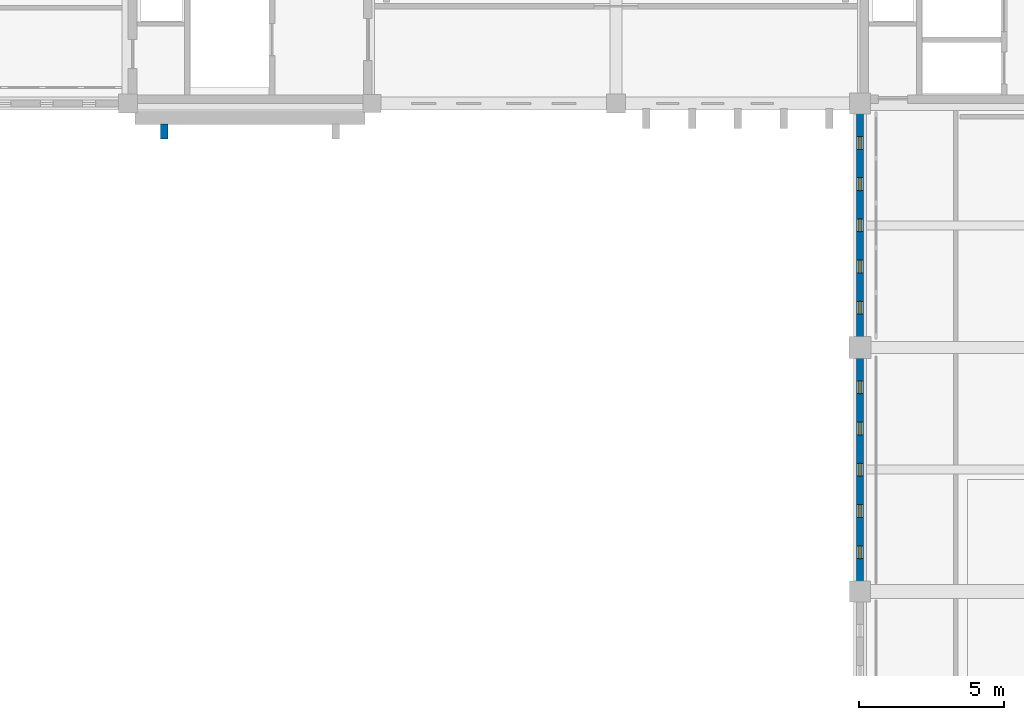
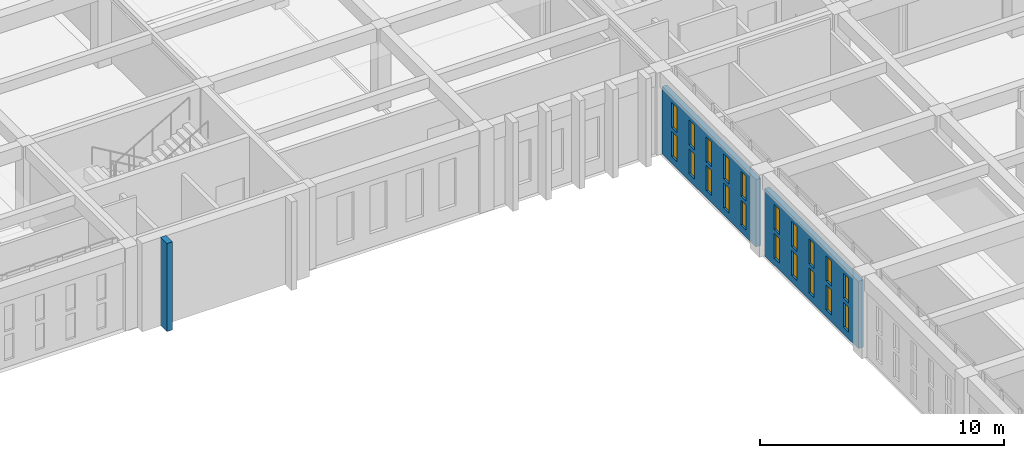
# One storey, part 170 of 192: 20 windows, 3 walls, 20 openings.
"""IFC4 building model written with IfcOpenShell, lengths in metres."""

from ifc_helpers import new_model, si_unit, direction, frame, frame_2d, origin, place, context, subcontext, project, spatial, rectangle, extrude, material, layer, layer_set, type_object, element, fill, save


model = new_model("IFC4")

# Units and contexts
model_context = context("Model", 3, precision=1e-05, world=origin(), true_north=direction((0.0, 1.0)))
body_context = subcontext(model_context, "Body", "Model", "MODEL_VIEW")
ifc_project = project(units=[si_unit("LENGTHUNIT", "METRE"), si_unit("AREAUNIT", "SQUARE_METRE"), si_unit("VOLUMEUNIT", "CUBIC_METRE"), si_unit("PLANEANGLEUNIT", "RADIAN"), si_unit("MASSUNIT", "GRAM", prefix="KILO")], contexts=[model_context])

# Site, building, storey
site_placement = place(None, origin())
site = spatial("IfcSite", under=ifc_project, at=site_placement, CompositionType="ELEMENT")
building_placement = place(site_placement, origin())
building = spatial("IfcBuilding", under=site, at=building_placement, Name="Kveldsbrygga Polytechnic", CompositionType="ELEMENT")
storey_placement = place(building_placement, frame((0.0, 0.0, 5.43994140625)))
storey = spatial("IfcBuildingStorey", under=building, at=storey_placement, Name="L01", CompositionType="ELEMENT", Elevation=5.43994140625)

# Wall
ifc_material_1 = material(Name="Fired clay brick masonry M10", Category="masonry")
ifc_layer_1 = layer(ifc_material_1, 0.260009765625)
ifc_layer_set_1 = layer_set([ifc_layer_1], Name="Fired clay brick masonry M10")
wall_type_1 = type_object("IfcWallType", Name="EW-BUTT-260", PredefinedType="SOLIDWALL", material=ifc_layer_set_1)
wall_1_placement = place(storey_placement, frame((102.050048828125, 83.300048828125, 0.0), z_axis=(0.0, 0.0, 1.0), x_axis=(0.0, -1.0, 0.0)))
element("IfcWall", 1, at=wall_1_placement, inside=storey, type_object=wall_type_1, Name="Gothic Brick Buttress Pier BCLAS-L01-X-12-10-1", PredefinedType="SOLIDWALL", context=body_context, shape_type="SweptSolid", body=[
    extrude(rectangle(XDim=0.52001953125, YDim=0.260009765625, at=frame_2d((0.260009765625, 0.0))), origin(), (0.0, 0.0, 1.0), 4.420166015625),
])

# Wall, openings, windows
ifc_layer_2 = layer(ifc_material_1, 0.239990234375)
ifc_layer_set_2 = layer_set([ifc_layer_2], Name="Fired clay brick masonry M10")
wall_type_2 = type_object("IfcWallType", Name="EW-SCRN-240", PredefinedType="SOLIDWALL", material=ifc_layer_set_2)
wall_2_placement = place(storey_placement, frame((126.0, 67.544921875, 0.0), z_axis=(0.0, 0.0, 1.0), x_axis=(0.0, 1.0, 0.0)))
wall_2 = element("IfcWall", 2, at=wall_2_placement, inside=storey, type_object=wall_type_2, Name="Perforated Brick Corridor Screen Wall SCRW-L01-Y-15-08", PredefinedType="SOLIDWALL", context=body_context, shape_type="SweptSolid", body=[
    extrude(rectangle(XDim=7.695068359375, YDim=0.239990234375, at=frame_2d((3.84765625, 0.0))), origin(), (0.0, 0.0, 1.0), 3.3701171875),
])
opening_1_placement = place(wall_2_placement, frame((0.78955078125, 0.0, 0.35009765625)))
opening_1 = element("IfcOpeningElement", 3, at=opening_1_placement, cuts=wall_2, Name="Opening W-48", PredefinedType="OPENING", context=body_context, shape_type="SweptSolid", body=[
    extrude(rectangle(XDim=0.43994140625, YDim=1.25, at=frame_2d((0.219970703125, 0.625))), frame((0.0, 0.1298828125, 0.0), z_axis=(0.0, -1.0, 0.0), x_axis=(1.0, 0.0, 0.0)), (0.0, 0.0, 1.0), 0.260009765625),
])
opening_2_placement = place(wall_2_placement, frame((2.20849609375, 0.0, 0.35009765625)))
opening_2 = element("IfcOpeningElement", 4, at=opening_2_placement, cuts=wall_2, Name="Opening W-48", PredefinedType="OPENING", context=body_context, shape_type="SweptSolid", body=[
    extrude(rectangle(XDim=0.43994140625, YDim=1.25, at=frame_2d((0.219970703125, 0.625))), frame((0.0, 0.1298828125, 0.0), z_axis=(0.0, -1.0, 0.0), x_axis=(1.0, 0.0, 0.0)), (0.0, 0.0, 1.0), 0.260009765625),
])
opening_3_placement = place(wall_2_placement, frame((3.62744140625, 0.0, 0.35009765625)))
opening_3 = element("IfcOpeningElement", 5, at=opening_3_placement, cuts=wall_2, Name="Opening W-48", PredefinedType="OPENING", context=body_context, shape_type="SweptSolid", body=[
    extrude(rectangle(XDim=0.43994140625, YDim=1.25, at=frame_2d((0.219970703125, 0.625))), frame((0.0, 0.1298828125, 0.0), z_axis=(0.0, -1.0, 0.0), x_axis=(1.0, 0.0, 0.0)), (0.0, 0.0, 1.0), 0.260009765625),
])
opening_4_placement = place(wall_2_placement, frame((5.04638671875, 0.0, 0.35009765625)))
opening_4 = element("IfcOpeningElement", 6, at=opening_4_placement, cuts=wall_2, Name="Opening W-48", PredefinedType="OPENING", context=body_context, shape_type="SweptSolid", body=[
    extrude(rectangle(XDim=0.43994140625, YDim=1.25, at=frame_2d((0.219970703125, 0.625))), frame((0.0, 0.1298828125, 0.0), z_axis=(0.0, -1.0, 0.0), x_axis=(1.0, 0.0, 0.0)), (0.0, 0.0, 1.0), 0.260009765625),
])
opening_5_placement = place(wall_2_placement, frame((6.465576171875, 0.0, 0.35009765625)))
opening_5 = element("IfcOpeningElement", 7, at=opening_5_placement, cuts=wall_2, Name="Opening W-48", PredefinedType="OPENING", context=body_context, shape_type="SweptSolid", body=[
    extrude(rectangle(XDim=0.43994140625, YDim=1.25, at=frame_2d((0.219970703125, 0.625))), frame((0.0, 0.1298828125, 0.0), z_axis=(0.0, -1.0, 0.0), x_axis=(1.0, 0.0, 0.0)), (0.0, 0.0, 1.0), 0.260009765625),
])
opening_6_placement = place(wall_2_placement, frame((0.78955078125, 0.0, 1.800048828125)))
opening_6 = element("IfcOpeningElement", 8, at=opening_6_placement, cuts=wall_2, Name="Opening W-48", PredefinedType="OPENING", context=body_context, shape_type="SweptSolid", body=[
    extrude(rectangle(XDim=0.43994140625, YDim=1.25, at=frame_2d((0.219970703125, 0.625))), frame((0.0, 0.1298828125, 0.0), z_axis=(0.0, -1.0, 0.0), x_axis=(1.0, 0.0, 0.0)), (0.0, 0.0, 1.0), 0.260009765625),
])
opening_7_placement = place(wall_2_placement, frame((2.20849609375, 0.0, 1.800048828125)))
opening_7 = element("IfcOpeningElement", 9, at=opening_7_placement, cuts=wall_2, Name="Opening W-48", PredefinedType="OPENING", context=body_context, shape_type="SweptSolid", body=[
    extrude(rectangle(XDim=0.43994140625, YDim=1.25, at=frame_2d((0.219970703125, 0.625))), frame((0.0, 0.1298828125, 0.0), z_axis=(0.0, -1.0, 0.0), x_axis=(1.0, 0.0, 0.0)), (0.0, 0.0, 1.0), 0.260009765625),
])
opening_8_placement = place(wall_2_placement, frame((3.62744140625, 0.0, 1.800048828125)))
opening_8 = element("IfcOpeningElement", 10, at=opening_8_placement, cuts=wall_2, Name="Opening W-48", PredefinedType="OPENING", context=body_context, shape_type="SweptSolid", body=[
    extrude(rectangle(XDim=0.43994140625, YDim=1.25, at=frame_2d((0.219970703125, 0.625))), frame((0.0, 0.1298828125, 0.0), z_axis=(0.0, -1.0, 0.0), x_axis=(1.0, 0.0, 0.0)), (0.0, 0.0, 1.0), 0.260009765625),
])
opening_9_placement = place(wall_2_placement, frame((5.04638671875, 0.0, 1.800048828125)))
opening_9 = element("IfcOpeningElement", 11, at=opening_9_placement, cuts=wall_2, Name="Opening W-48", PredefinedType="OPENING", context=body_context, shape_type="SweptSolid", body=[
    extrude(rectangle(XDim=0.43994140625, YDim=1.25, at=frame_2d((0.219970703125, 0.625))), frame((0.0, 0.1298828125, 0.0), z_axis=(0.0, -1.0, 0.0), x_axis=(1.0, 0.0, 0.0)), (0.0, 0.0, 1.0), 0.260009765625),
])
opening_10_placement = place(wall_2_placement, frame((6.465576171875, 0.0, 1.800048828125)))
opening_10 = element("IfcOpeningElement", 12, at=opening_10_placement, cuts=wall_2, Name="Opening W-48", PredefinedType="OPENING", context=body_context, shape_type="SweptSolid", body=[
    extrude(rectangle(XDim=0.43994140625, YDim=1.25, at=frame_2d((0.219970703125, 0.625))), frame((0.0, 0.1298828125, 0.0), z_axis=(0.0, -1.0, 0.0), x_axis=(1.0, 0.0, 0.0)), (0.0, 0.0, 1.0), 0.260009765625),
])
ifc_material_2 = material(Name="Insulated triple low-E glass", Category="glass")
window_type = type_object("IfcWindowType", Name="WN-SCRN-044x125", PartitioningType="SINGLE_PANEL", PredefinedType="WINDOW", material=ifc_material_2)
window_1_placement = place(opening_1_placement, origin())
window_1 = element("IfcWindow", 13, at=window_1_placement, inside=storey, type_object=window_type, Name="Perforated Screen Aperture L01-Y-15-08-1", OverallHeight=1.25, OverallWidth=0.43994140625, PartitioningType="SINGLE_PANEL", PredefinedType="WINDOW", context=body_context, shape_type="SweptSolid", body=[
    extrude(rectangle(XDim=0.43994140625, YDim=1.25, at=frame_2d((0.219970703125, 0.625))), frame((0.0, 0.030029296875, 0.0), z_axis=(0.0, -1.0, 0.0), x_axis=(1.0, 0.0, 0.0)), (0.0, 0.0, 1.0), 0.06005859375),
])
fill(opening_1, window_1)
window_2_placement = place(opening_2_placement, origin())
window_2 = element("IfcWindow", 14, at=window_2_placement, inside=storey, type_object=window_type, Name="Perforated Screen Aperture L01-Y-15-08-2", OverallHeight=1.25, OverallWidth=0.43994140625, PartitioningType="SINGLE_PANEL", PredefinedType="WINDOW", context=body_context, shape_type="SweptSolid", body=[
    extrude(rectangle(XDim=0.43994140625, YDim=1.25, at=frame_2d((0.219970703125, 0.625))), frame((0.0, 0.030029296875, 0.0), z_axis=(0.0, -1.0, 0.0), x_axis=(1.0, 0.0, 0.0)), (0.0, 0.0, 1.0), 0.06005859375),
])
fill(opening_2, window_2)
window_3_placement = place(opening_3_placement, origin())
window_3 = element("IfcWindow", 15, at=window_3_placement, inside=storey, type_object=window_type, Name="Perforated Screen Aperture L01-Y-15-08-3", OverallHeight=1.25, OverallWidth=0.43994140625, PartitioningType="SINGLE_PANEL", PredefinedType="WINDOW", context=body_context, shape_type="SweptSolid", body=[
    extrude(rectangle(XDim=0.43994140625, YDim=1.25, at=frame_2d((0.219970703125, 0.625))), frame((0.0, 0.030029296875, 0.0), z_axis=(0.0, -1.0, 0.0), x_axis=(1.0, 0.0, 0.0)), (0.0, 0.0, 1.0), 0.06005859375),
])
fill(opening_3, window_3)
window_4_placement = place(opening_4_placement, origin())
window_4 = element("IfcWindow", 16, at=window_4_placement, inside=storey, type_object=window_type, Name="Perforated Screen Aperture L01-Y-15-08-4", OverallHeight=1.25, OverallWidth=0.43994140625, PartitioningType="SINGLE_PANEL", PredefinedType="WINDOW", context=body_context, shape_type="SweptSolid", body=[
    extrude(rectangle(XDim=0.43994140625, YDim=1.25, at=frame_2d((0.219970703125, 0.625))), frame((0.0, 0.030029296875, 0.0), z_axis=(0.0, -1.0, 0.0), x_axis=(1.0, 0.0, 0.0)), (0.0, 0.0, 1.0), 0.06005859375),
])
fill(opening_4, window_4)
window_5_placement = place(opening_5_placement, origin())
window_5 = element("IfcWindow", 17, at=window_5_placement, inside=storey, type_object=window_type, Name="Perforated Screen Aperture L01-Y-15-08-5", OverallHeight=1.25, OverallWidth=0.43994140625, PartitioningType="SINGLE_PANEL", PredefinedType="WINDOW", context=body_context, shape_type="SweptSolid", body=[
    extrude(rectangle(XDim=0.43994140625, YDim=1.25, at=frame_2d((0.219970703125, 0.625))), frame((0.0, 0.030029296875, 0.0), z_axis=(0.0, -1.0, 0.0), x_axis=(1.0, 0.0, 0.0)), (0.0, 0.0, 1.0), 0.06005859375),
])
fill(opening_5, window_5)
window_6_placement = place(opening_6_placement, origin())
window_6 = element("IfcWindow", 18, at=window_6_placement, inside=storey, type_object=window_type, Name="Perforated Screen Aperture L01-Y-15-08-6", OverallHeight=1.25, OverallWidth=0.43994140625, PartitioningType="SINGLE_PANEL", PredefinedType="WINDOW", context=body_context, shape_type="SweptSolid", body=[
    extrude(rectangle(XDim=0.43994140625, YDim=1.25, at=frame_2d((0.219970703125, 0.625))), frame((0.0, 0.030029296875, 0.0), z_axis=(0.0, -1.0, 0.0), x_axis=(1.0, 0.0, 0.0)), (0.0, 0.0, 1.0), 0.06005859375),
])
fill(opening_6, window_6)
window_7_placement = place(opening_7_placement, origin())
window_7 = element("IfcWindow", 19, at=window_7_placement, inside=storey, type_object=window_type, Name="Perforated Screen Aperture L01-Y-15-08-7", OverallHeight=1.25, OverallWidth=0.43994140625, PartitioningType="SINGLE_PANEL", PredefinedType="WINDOW", context=body_context, shape_type="SweptSolid", body=[
    extrude(rectangle(XDim=0.43994140625, YDim=1.25, at=frame_2d((0.219970703125, 0.625))), frame((0.0, 0.030029296875, 0.0), z_axis=(0.0, -1.0, 0.0), x_axis=(1.0, 0.0, 0.0)), (0.0, 0.0, 1.0), 0.06005859375),
])
fill(opening_7, window_7)
window_8_placement = place(opening_8_placement, origin())
window_8 = element("IfcWindow", 20, at=window_8_placement, inside=storey, type_object=window_type, Name="Perforated Screen Aperture L01-Y-15-08-8", OverallHeight=1.25, OverallWidth=0.43994140625, PartitioningType="SINGLE_PANEL", PredefinedType="WINDOW", context=body_context, shape_type="SweptSolid", body=[
    extrude(rectangle(XDim=0.43994140625, YDim=1.25, at=frame_2d((0.219970703125, 0.625))), frame((0.0, 0.030029296875, 0.0), z_axis=(0.0, -1.0, 0.0), x_axis=(1.0, 0.0, 0.0)), (0.0, 0.0, 1.0), 0.06005859375),
])
fill(opening_8, window_8)
window_9_placement = place(opening_9_placement, origin())
window_9 = element("IfcWindow", 21, at=window_9_placement, inside=storey, type_object=window_type, Name="Perforated Screen Aperture L01-Y-15-08-9", OverallHeight=1.25, OverallWidth=0.43994140625, PartitioningType="SINGLE_PANEL", PredefinedType="WINDOW", context=body_context, shape_type="SweptSolid", body=[
    extrude(rectangle(XDim=0.43994140625, YDim=1.25, at=frame_2d((0.219970703125, 0.625))), frame((0.0, 0.030029296875, 0.0), z_axis=(0.0, -1.0, 0.0), x_axis=(1.0, 0.0, 0.0)), (0.0, 0.0, 1.0), 0.06005859375),
])
fill(opening_9, window_9)
window_10_placement = place(opening_10_placement, origin())
window_10 = element("IfcWindow", 22, at=window_10_placement, inside=storey, type_object=window_type, Name="Perforated Screen Aperture L01-Y-15-08-10", OverallHeight=1.25, OverallWidth=0.43994140625, PartitioningType="SINGLE_PANEL", PredefinedType="WINDOW", context=body_context, shape_type="SweptSolid", body=[
    extrude(rectangle(XDim=0.43994140625, YDim=1.25, at=frame_2d((0.219970703125, 0.625))), frame((0.0, 0.030029296875, 0.0), z_axis=(0.0, -1.0, 0.0), x_axis=(1.0, 0.0, 0.0)), (0.0, 0.0, 1.0), 0.06005859375),
])
fill(opening_10, window_10)

wall_3_placement = place(storey_placement, frame((126.0, 75.9599609375, 0.0), z_axis=(0.0, 0.0, 1.0), x_axis=(0.0, 1.0, 0.0)))
wall_3 = element("IfcWall", 23, at=wall_3_placement, inside=storey, type_object=wall_type_2, Name="Perforated Brick Corridor Screen Wall SCRW-L01-Y-15-09", PredefinedType="SOLIDWALL", context=body_context, shape_type="SweptSolid", body=[
    extrude(rectangle(XDim=7.695068359375, YDim=0.239990234375, at=frame_2d((3.84765625, 0.0))), origin(), (0.0, 0.0, 1.0), 3.3701171875),
])
opening_11_placement = place(wall_3_placement, frame((0.78955078125, 0.0, 0.35009765625)))
opening_11 = element("IfcOpeningElement", 24, at=opening_11_placement, cuts=wall_3, Name="Opening W-48", PredefinedType="OPENING", context=body_context, shape_type="SweptSolid", body=[
    extrude(rectangle(XDim=0.43994140625, YDim=1.25, at=frame_2d((0.219970703125, 0.625))), frame((0.0, 0.1298828125, 0.0), z_axis=(0.0, -1.0, 0.0), x_axis=(1.0, 0.0, 0.0)), (0.0, 0.0, 1.0), 0.260009765625),
])
opening_12_placement = place(wall_3_placement, frame((2.20849609375, 0.0, 0.35009765625)))
opening_12 = element("IfcOpeningElement", 25, at=opening_12_placement, cuts=wall_3, Name="Opening W-48", PredefinedType="OPENING", context=body_context, shape_type="SweptSolid", body=[
    extrude(rectangle(XDim=0.43994140625, YDim=1.25, at=frame_2d((0.219970703125, 0.625))), frame((0.0, 0.1298828125, 0.0), z_axis=(0.0, -1.0, 0.0), x_axis=(1.0, 0.0, 0.0)), (0.0, 0.0, 1.0), 0.260009765625),
])
opening_13_placement = place(wall_3_placement, frame((3.62744140625, 0.0, 0.35009765625)))
opening_13 = element("IfcOpeningElement", 26, at=opening_13_placement, cuts=wall_3, Name="Opening W-48", PredefinedType="OPENING", context=body_context, shape_type="SweptSolid", body=[
    extrude(rectangle(XDim=0.43994140625, YDim=1.25, at=frame_2d((0.219970703125, 0.625))), frame((0.0, 0.1298828125, 0.0), z_axis=(0.0, -1.0, 0.0), x_axis=(1.0, 0.0, 0.0)), (0.0, 0.0, 1.0), 0.260009765625),
])
opening_14_placement = place(wall_3_placement, frame((5.04638671875, 0.0, 0.35009765625)))
opening_14 = element("IfcOpeningElement", 27, at=opening_14_placement, cuts=wall_3, Name="Opening W-48", PredefinedType="OPENING", context=body_context, shape_type="SweptSolid", body=[
    extrude(rectangle(XDim=0.43994140625, YDim=1.25, at=frame_2d((0.219970703125, 0.625))), frame((0.0, 0.1298828125, 0.0), z_axis=(0.0, -1.0, 0.0), x_axis=(1.0, 0.0, 0.0)), (0.0, 0.0, 1.0), 0.260009765625),
])
opening_15_placement = place(wall_3_placement, frame((6.465576171875, 0.0, 0.35009765625)))
opening_15 = element("IfcOpeningElement", 28, at=opening_15_placement, cuts=wall_3, Name="Opening W-48", PredefinedType="OPENING", context=body_context, shape_type="SweptSolid", body=[
    extrude(rectangle(XDim=0.43994140625, YDim=1.25, at=frame_2d((0.219970703125, 0.625))), frame((0.0, 0.1298828125, 0.0), z_axis=(0.0, -1.0, 0.0), x_axis=(1.0, 0.0, 0.0)), (0.0, 0.0, 1.0), 0.260009765625),
])
opening_16_placement = place(wall_3_placement, frame((0.78955078125, 0.0, 1.800048828125)))
opening_16 = element("IfcOpeningElement", 29, at=opening_16_placement, cuts=wall_3, Name="Opening W-48", PredefinedType="OPENING", context=body_context, shape_type="SweptSolid", body=[
    extrude(rectangle(XDim=0.43994140625, YDim=1.25, at=frame_2d((0.219970703125, 0.625))), frame((0.0, 0.1298828125, 0.0), z_axis=(0.0, -1.0, 0.0), x_axis=(1.0, 0.0, 0.0)), (0.0, 0.0, 1.0), 0.260009765625),
])
opening_17_placement = place(wall_3_placement, frame((2.20849609375, 0.0, 1.800048828125)))
opening_17 = element("IfcOpeningElement", 30, at=opening_17_placement, cuts=wall_3, Name="Opening W-48", PredefinedType="OPENING", context=body_context, shape_type="SweptSolid", body=[
    extrude(rectangle(XDim=0.43994140625, YDim=1.25, at=frame_2d((0.219970703125, 0.625))), frame((0.0, 0.1298828125, 0.0), z_axis=(0.0, -1.0, 0.0), x_axis=(1.0, 0.0, 0.0)), (0.0, 0.0, 1.0), 0.260009765625),
])
opening_18_placement = place(wall_3_placement, frame((3.62744140625, 0.0, 1.800048828125)))
opening_18 = element("IfcOpeningElement", 31, at=opening_18_placement, cuts=wall_3, Name="Opening W-48", PredefinedType="OPENING", context=body_context, shape_type="SweptSolid", body=[
    extrude(rectangle(XDim=0.43994140625, YDim=1.25, at=frame_2d((0.219970703125, 0.625))), frame((0.0, 0.1298828125, 0.0), z_axis=(0.0, -1.0, 0.0), x_axis=(1.0, 0.0, 0.0)), (0.0, 0.0, 1.0), 0.260009765625),
])
opening_19_placement = place(wall_3_placement, frame((5.04638671875, 0.0, 1.800048828125)))
opening_19 = element("IfcOpeningElement", 32, at=opening_19_placement, cuts=wall_3, Name="Opening W-48", PredefinedType="OPENING", context=body_context, shape_type="SweptSolid", body=[
    extrude(rectangle(XDim=0.43994140625, YDim=1.25, at=frame_2d((0.219970703125, 0.625))), frame((0.0, 0.1298828125, 0.0), z_axis=(0.0, -1.0, 0.0), x_axis=(1.0, 0.0, 0.0)), (0.0, 0.0, 1.0), 0.260009765625),
])
opening_20_placement = place(wall_3_placement, frame((6.465576171875, 0.0, 1.800048828125)))
opening_20 = element("IfcOpeningElement", 33, at=opening_20_placement, cuts=wall_3, Name="Opening W-48", PredefinedType="OPENING", context=body_context, shape_type="SweptSolid", body=[
    extrude(rectangle(XDim=0.43994140625, YDim=1.25, at=frame_2d((0.219970703125, 0.625))), frame((0.0, 0.1298828125, 0.0), z_axis=(0.0, -1.0, 0.0), x_axis=(1.0, 0.0, 0.0)), (0.0, 0.0, 1.0), 0.260009765625),
])
window_11_placement = place(opening_11_placement, origin())
window_11 = element("IfcWindow", 34, at=window_11_placement, inside=storey, type_object=window_type, Name="Perforated Screen Aperture L01-Y-15-09-1", OverallHeight=1.25, OverallWidth=0.43994140625, PartitioningType="SINGLE_PANEL", PredefinedType="WINDOW", context=body_context, shape_type="SweptSolid", body=[
    extrude(rectangle(XDim=0.43994140625, YDim=1.25, at=frame_2d((0.219970703125, 0.625))), frame((0.0, 0.030029296875, 0.0), z_axis=(0.0, -1.0, 0.0), x_axis=(1.0, 0.0, 0.0)), (0.0, 0.0, 1.0), 0.06005859375),
])
fill(opening_11, window_11)
window_12_placement = place(opening_12_placement, origin())
window_12 = element("IfcWindow", 35, at=window_12_placement, inside=storey, type_object=window_type, Name="Perforated Screen Aperture L01-Y-15-09-2", OverallHeight=1.25, OverallWidth=0.43994140625, PartitioningType="SINGLE_PANEL", PredefinedType="WINDOW", context=body_context, shape_type="SweptSolid", body=[
    extrude(rectangle(XDim=0.43994140625, YDim=1.25, at=frame_2d((0.219970703125, 0.625))), frame((0.0, 0.030029296875, 0.0), z_axis=(0.0, -1.0, 0.0), x_axis=(1.0, 0.0, 0.0)), (0.0, 0.0, 1.0), 0.06005859375),
])
fill(opening_12, window_12)
window_13_placement = place(opening_13_placement, origin())
window_13 = element("IfcWindow", 36, at=window_13_placement, inside=storey, type_object=window_type, Name="Perforated Screen Aperture L01-Y-15-09-3", OverallHeight=1.25, OverallWidth=0.43994140625, PartitioningType="SINGLE_PANEL", PredefinedType="WINDOW", context=body_context, shape_type="SweptSolid", body=[
    extrude(rectangle(XDim=0.43994140625, YDim=1.25, at=frame_2d((0.219970703125, 0.625))), frame((0.0, 0.030029296875, 0.0), z_axis=(0.0, -1.0, 0.0), x_axis=(1.0, 0.0, 0.0)), (0.0, 0.0, 1.0), 0.06005859375),
])
fill(opening_13, window_13)
window_14_placement = place(opening_14_placement, origin())
window_14 = element("IfcWindow", 37, at=window_14_placement, inside=storey, type_object=window_type, Name="Perforated Screen Aperture L01-Y-15-09-4", OverallHeight=1.25, OverallWidth=0.43994140625, PartitioningType="SINGLE_PANEL", PredefinedType="WINDOW", context=body_context, shape_type="SweptSolid", body=[
    extrude(rectangle(XDim=0.43994140625, YDim=1.25, at=frame_2d((0.219970703125, 0.625))), frame((0.0, 0.030029296875, 0.0), z_axis=(0.0, -1.0, 0.0), x_axis=(1.0, 0.0, 0.0)), (0.0, 0.0, 1.0), 0.06005859375),
])
fill(opening_14, window_14)
window_15_placement = place(opening_15_placement, origin())
window_15 = element("IfcWindow", 38, at=window_15_placement, inside=storey, type_object=window_type, Name="Perforated Screen Aperture L01-Y-15-09-5", OverallHeight=1.25, OverallWidth=0.43994140625, PartitioningType="SINGLE_PANEL", PredefinedType="WINDOW", context=body_context, shape_type="SweptSolid", body=[
    extrude(rectangle(XDim=0.43994140625, YDim=1.25, at=frame_2d((0.219970703125, 0.625))), frame((0.0, 0.030029296875, 0.0), z_axis=(0.0, -1.0, 0.0), x_axis=(1.0, 0.0, 0.0)), (0.0, 0.0, 1.0), 0.06005859375),
])
fill(opening_15, window_15)
window_16_placement = place(opening_16_placement, origin())
window_16 = element("IfcWindow", 39, at=window_16_placement, inside=storey, type_object=window_type, Name="Perforated Screen Aperture L01-Y-15-09-6", OverallHeight=1.25, OverallWidth=0.43994140625, PartitioningType="SINGLE_PANEL", PredefinedType="WINDOW", context=body_context, shape_type="SweptSolid", body=[
    extrude(rectangle(XDim=0.43994140625, YDim=1.25, at=frame_2d((0.219970703125, 0.625))), frame((0.0, 0.030029296875, 0.0), z_axis=(0.0, -1.0, 0.0), x_axis=(1.0, 0.0, 0.0)), (0.0, 0.0, 1.0), 0.06005859375),
])
fill(opening_16, window_16)
window_17_placement = place(opening_17_placement, origin())
window_17 = element("IfcWindow", 40, at=window_17_placement, inside=storey, type_object=window_type, Name="Perforated Screen Aperture L01-Y-15-09-7", OverallHeight=1.25, OverallWidth=0.43994140625, PartitioningType="SINGLE_PANEL", PredefinedType="WINDOW", context=body_context, shape_type="SweptSolid", body=[
    extrude(rectangle(XDim=0.43994140625, YDim=1.25, at=frame_2d((0.219970703125, 0.625))), frame((0.0, 0.030029296875, 0.0), z_axis=(0.0, -1.0, 0.0), x_axis=(1.0, 0.0, 0.0)), (0.0, 0.0, 1.0), 0.06005859375),
])
fill(opening_17, window_17)
window_18_placement = place(opening_18_placement, origin())
window_18 = element("IfcWindow", 41, at=window_18_placement, inside=storey, type_object=window_type, Name="Perforated Screen Aperture L01-Y-15-09-8", OverallHeight=1.25, OverallWidth=0.43994140625, PartitioningType="SINGLE_PANEL", PredefinedType="WINDOW", context=body_context, shape_type="SweptSolid", body=[
    extrude(rectangle(XDim=0.43994140625, YDim=1.25, at=frame_2d((0.219970703125, 0.625))), frame((0.0, 0.030029296875, 0.0), z_axis=(0.0, -1.0, 0.0), x_axis=(1.0, 0.0, 0.0)), (0.0, 0.0, 1.0), 0.06005859375),
])
fill(opening_18, window_18)
window_19_placement = place(opening_19_placement, origin())
window_19 = element("IfcWindow", 42, at=window_19_placement, inside=storey, type_object=window_type, Name="Perforated Screen Aperture L01-Y-15-09-9", OverallHeight=1.25, OverallWidth=0.43994140625, PartitioningType="SINGLE_PANEL", PredefinedType="WINDOW", context=body_context, shape_type="SweptSolid", body=[
    extrude(rectangle(XDim=0.43994140625, YDim=1.25, at=frame_2d((0.219970703125, 0.625))), frame((0.0, 0.030029296875, 0.0), z_axis=(0.0, -1.0, 0.0), x_axis=(1.0, 0.0, 0.0)), (0.0, 0.0, 1.0), 0.06005859375),
])
fill(opening_19, window_19)
window_20_placement = place(opening_20_placement, origin())
window_20 = element("IfcWindow", 43, at=window_20_placement, inside=storey, type_object=window_type, Name="Perforated Screen Aperture L01-Y-15-09-10", OverallHeight=1.25, OverallWidth=0.43994140625, PartitioningType="SINGLE_PANEL", PredefinedType="WINDOW", context=body_context, shape_type="SweptSolid", body=[
    extrude(rectangle(XDim=0.43994140625, YDim=1.25, at=frame_2d((0.219970703125, 0.625))), frame((0.0, 0.030029296875, 0.0), z_axis=(0.0, -1.0, 0.0), x_axis=(1.0, 0.0, 0.0)), (0.0, 0.0, 1.0), 0.06005859375),
])
fill(opening_20, window_20)

save(model, "model.ifc")
